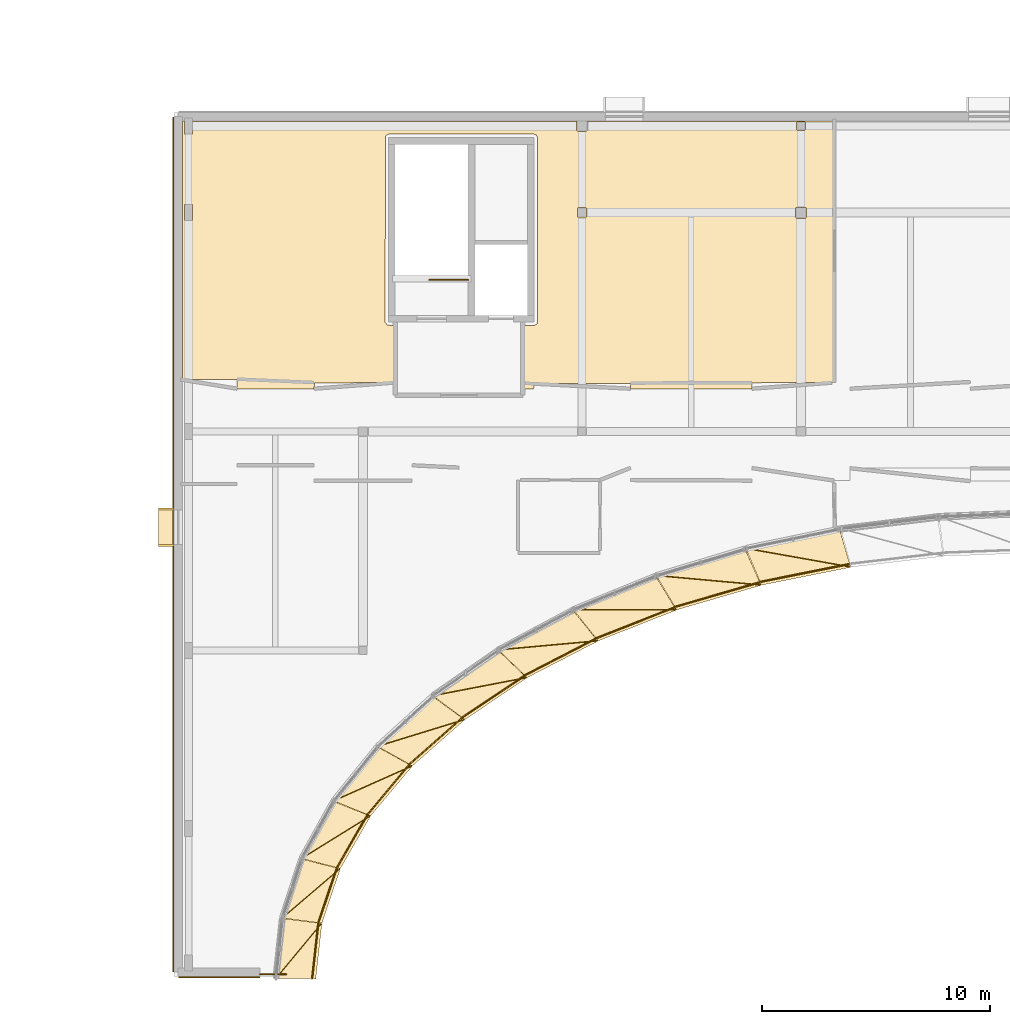
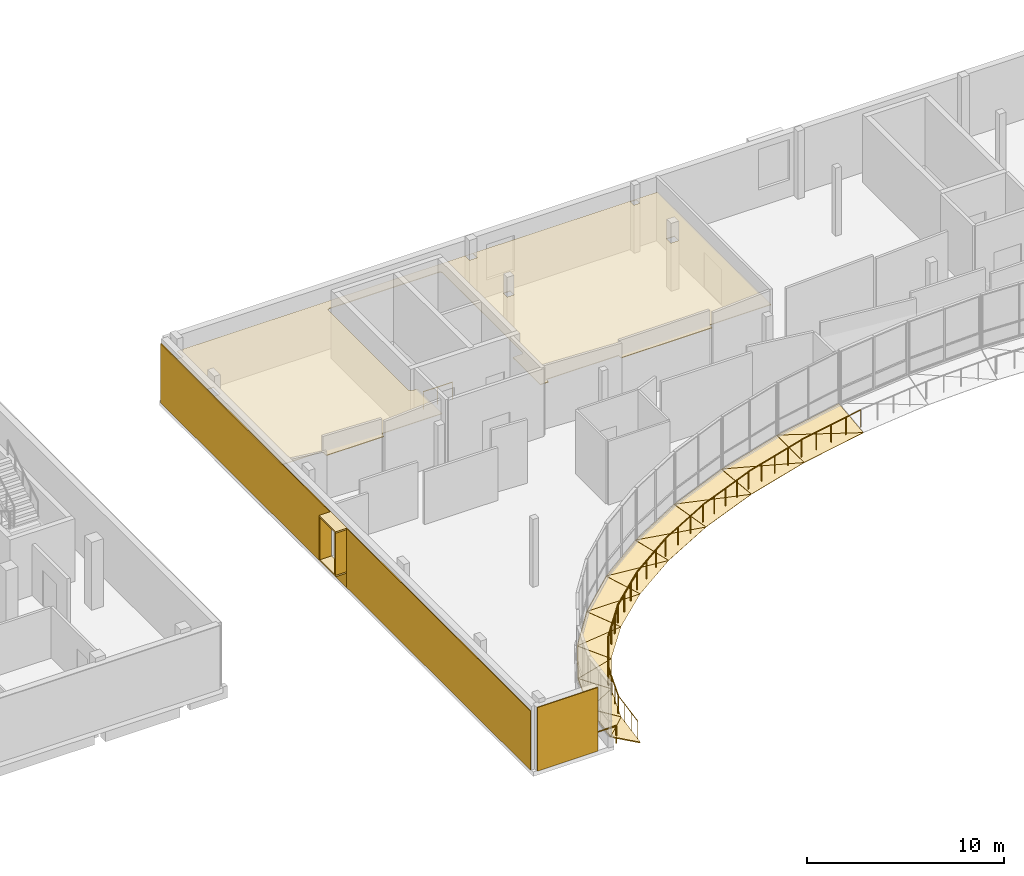
# One storey, part 15 of 18: 29 coverings, 12 railings.
"""IFC4 building model written with IfcOpenShell, lengths in metres."""

from ifc_helpers import new_model, si_unit, direction, frame, origin, origin_2d, place, context, subcontext, project, spatial, polyline, rectangle, circle, outline, extrude, material, layer, layer_set, type_object, element, save


model = new_model("IFC4")

# Units and contexts
model_context = context("Model", 3, precision=1e-05, world=origin(), true_north=direction((0.0, 1.0)))
body_context = subcontext(model_context, "Body", "Model", "MODEL_VIEW")
ifc_project = project(units=[si_unit("LENGTHUNIT", "METRE"), si_unit("AREAUNIT", "SQUARE_METRE"), si_unit("VOLUMEUNIT", "CUBIC_METRE"), si_unit("PLANEANGLEUNIT", "RADIAN"), si_unit("MASSUNIT", "GRAM", prefix="KILO")], contexts=[model_context])

# Site, building, storey
site_placement = place(None, origin())
site = spatial("IfcSite", under=ifc_project, at=site_placement, CompositionType="ELEMENT")
building_placement = place(site_placement, origin())
building = spatial("IfcBuilding", under=site, at=building_placement, Name="Mzevani Central Library", CompositionType="ELEMENT")
storey_placement = place(building_placement, frame((0.0, 0.0, 18.300048828125)))
storey = spatial("IfcBuildingStorey", under=building, at=storey_placement, Name="L04", CompositionType="ELEMENT", Elevation=18.300048828125)

# Railing
ifc_material_1 = material(Name="Brushed stainless steel rail", Category="steel")
railing_type_1 = type_object("IfcRailingType", Name="Interior Gallery and Stair Guard 1100", PredefinedType="BALUSTRADE", material=ifc_material_1)
railing_1_placement = place(storey_placement, frame((59.0, 106.64990234375, 0.0)))
element("IfcRailing", 1, at=railing_1_placement, inside=storey, type_object=railing_type_1, Name="L04 ST-05 top well guard 1", PredefinedType="BALUSTRADE", context=body_context, shape_type="SweptSolid", body=[
    extrude(circle(Radius=0.02392578125, at=origin_2d()), frame((0.0, 0.0, 1.076171875), z_axis=(-1.0, 0.0, 0.0), x_axis=(0.0, -1.0, 0.0)), (0.0, 0.0, 1.0), 1.699951171875),
    extrude(circle(Radius=0.02099609375, at=origin_2d()), origin(), (0.0, 0.0, 1.0), 1.052001953125),
    extrude(circle(Radius=0.02099609375, at=origin_2d()), frame((-0.85009765625, 0.0, 0.0)), (0.0, 0.0, 1.0), 1.052001953125),
    extrude(circle(Radius=0.02099609375, at=origin_2d()), frame((-1.699951171875, 0.0, 0.0)), (0.0, 0.0, 1.0), 1.052001953125),
])

# Coverings
ifc_material_2 = material(Name="Limestone ashlar cladding", Category="masonry")
ifc_layer_1 = layer(ifc_material_2, 0.050048828125, Name="Limestone Ashlar Spandrel Cladding")
ifc_layer_set_1 = layer_set([ifc_layer_1], Name="Limestone ashlar cladding")
covering_type_1 = type_object("IfcCoveringType", Name="Limestone Ashlar Spandrel Cladding", PredefinedType="CLADDING", material=ifc_layer_set_1)
covering_1_placement = place(storey_placement, frame((75.781494140625, 94.04736328125, -0.280029296875), z_axis=(0.096296898681, -0.481724860077, 0.871015537455), x_axis=(-0.980599490045, -0.196022039892, 0.0)))
element("IfcCovering", 2, at=covering_1_placement, inside=storey, type_object=covering_type_1, Name="L04 Curved Court Spandrel Apron 15A", PredefinedType="CLADDING", context=body_context, shape_type="SweptSolid", body=[
    extrude(outline(polyline([(0.0, 0.0), (3.991748599059052, -1.1102230246251565e-16), (4.347133020897631, -1.954097211478886), (0.0, 0.0)])), origin(), (0.0, 0.0, -1.0), 0.06005859375),
])
covering_2_placement = place(storey_placement, frame((75.781494140625, 94.04736328125, -0.280029296875), z_axis=(0.09818639566, -0.475108201237, 0.874432175086), x_axis=(-0.964394350476, 0.171395522212, 0.201412789402)))
element("IfcCovering", 3, at=covering_2_placement, inside=storey, type_object=covering_type_1, Name="L04 Curved Court Spandrel Apron 15B", PredefinedType="CLADDING", context=body_context, shape_type="SweptSolid", body=[
    extrude(outline(polyline([(0.0, 0.0), (4.7661369486501455, 1.1102230246251565e-16), (0.9459146277021949, -1.7433307945957077), (0.0, 0.0)])), origin(), (0.0, 0.0, -1.0), 0.06005859375),
])
covering_3_placement = place(storey_placement, frame((71.855712890625, 93.2568359375, -0.280029296875), z_axis=(0.138258261995, -0.476034795949, 0.868490371873), x_axis=(-0.960316723088, -0.278911798526, 0.0)))
element("IfcCovering", 4, at=covering_3_placement, inside=storey, type_object=covering_type_1, Name="L04 Curved Court Spandrel Apron 16A", PredefinedType="CLADDING", context=body_context, shape_type="SweptSolid", body=[
    extrude(outline(polyline([(0.0, 0.0), (3.8602173229667835, -1.1102230246251565e-16), (4.298403067026852, -1.9365528520961208), (0.0, 0.0)])), origin(), (0.0, 0.0, -1.0), 0.06005859375),
])
covering_4_placement = place(storey_placement, frame((71.855712890625, 93.2568359375, -0.280029296875), z_axis=(0.140095160111, -0.466710834079, 0.873243576253), x_axis=(-0.975060829459, 0.088293521389, 0.203618842288)))
element("IfcCovering", 5, at=covering_4_placement, inside=storey, type_object=covering_type_1, Name="L04 Curved Court Spandrel Apron 16B", PredefinedType="CLADDING", context=body_context, shape_type="SweptSolid", body=[
    extrude(outline(polyline([(0.0, 0.0), (4.714499536068221, 1.6653345369377348e-16), (1.019850415153701, -1.6993378120442315), (0.0, 0.0)])), origin(), (0.0, 0.0, -1.0), 0.06005859375),
])
covering_5_placement = place(storey_placement, frame((68.139892578125, 92.171630859375, -0.280029296875), z_axis=(0.183130838143, -0.465330831867, 0.865985169062), x_axis=(-0.930531980871, -0.366210639627, 0.0)))
element("IfcCovering", 6, at=covering_5_placement, inside=storey, type_object=covering_type_1, Name="L04 Curved Court Spandrel Apron 17A", PredefinedType="CLADDING", context=body_context, shape_type="SweptSolid", body=[
    extrude(outline(polyline([(0.0, 0.0), (3.693336337465024, 2.220446049250313e-16), (4.1987631947922885, -1.9196543438702114), (0.0, 0.0)])), origin(), (0.0, 0.0, -1.0), 0.06005859375),
])
covering_6_placement = place(storey_placement, frame((68.139892578125, 92.171630859375, -0.280029296875), z_axis=(0.184438640859, -0.453387391881, 0.872021938165), x_axis=(-0.978141955461, 0.002009482311, 0.20792853808)))
element("IfcCovering", 7, at=covering_6_placement, inside=storey, type_object=covering_type_1, Name="L04 Curved Court Spandrel Apron 17B", PredefinedType="CLADDING", context=body_context, shape_type="SweptSolid", body=[
    extrude(outline(polyline([(0.0, 0.0), (4.61678298882264, -5.551115123125783e-17), (1.087582156753629, -1.6560835770949505), (0.0, 0.0)])), origin(), (0.0, 0.0, -1.0), 0.06005859375),
])
covering_7_placement = place(storey_placement, frame((64.69677734375, 90.810791015625, -0.280029296875), z_axis=(0.231097284271, -0.447397312773, 0.863961625146), x_axis=(-0.888472868545, -0.458929146884, 0.0)))
element("IfcCovering", 8, at=covering_7_placement, inside=storey, type_object=covering_type_1, Name="L04 Curved Court Spandrel Apron 18A", PredefinedType="CLADDING", context=body_context, shape_type="SweptSolid", body=[
    extrude(outline(polyline([(0.0, 0.0), (3.497761299919376, 0.0), (4.051449963644521, -1.906357556205685), (0.0, 0.0)])), origin(), (0.0, 0.0, -1.0), 0.06005859375),
])
covering_8_placement = place(storey_placement, frame((64.69677734375, 90.810791015625, -0.280029296875), z_axis=(0.231375794407, -0.433331448593, 0.871027610023), x_axis=(-0.972735005924, -0.088440368812, 0.214394284938)))
element("IfcCovering", 9, at=covering_8_placement, inside=storey, type_object=covering_type_1, Name="L04 Curved Court Spandrel Apron 18B", PredefinedType="CLADDING", context=body_context, shape_type="SweptSolid", body=[
    extrude(outline(polyline([(0.0, 0.0), (4.477549099676932, 5.551115123125783e-17), (1.1472486497459, -1.6154531463469395), (0.0, 0.0)])), origin(), (0.0, 0.0, -1.0), 0.06005859375),
])
covering_9_placement = place(storey_placement, frame((61.584228515625, 89.197509765625, -0.280029296875), z_axis=(0.281763555659, -0.41954469412, 0.862897182947), x_axis=(-0.830157700772, -0.557528646662, 0.0)))
element("IfcCovering", 10, at=covering_9_placement, inside=storey, type_object=covering_type_1, Name="L04 Curved Court Spandrel Apron 19A", PredefinedType="CLADDING", context=body_context, shape_type="SweptSolid", body=[
    extrude(outline(polyline([(0.0, 0.0), (3.282920575621117, 0.0), (3.8610946428706754, -1.8994852655147587), (0.0, 0.0)])), origin(), (0.0, 0.0, -1.0), 0.06005859375),
])
covering_10_placement = place(storey_placement, frame((61.584228515625, 89.197509765625, -0.280029296875), z_axis=(0.280602302045, -0.404223090235, 0.870555019173), x_axis=(-0.957264394301, -0.184054391602, 0.223089355049)))
element("IfcCovering", 11, at=covering_10_placement, inside=storey, type_object=covering_type_1, Name="L04 Curved Court Spandrel Apron 19B", PredefinedType="CLADDING", context=body_context, shape_type="SweptSolid", body=[
    extrude(outline(polyline([(0.0, 0.0), (4.303033362072888, -5.551115123125783e-17), (1.1960204379575679, -1.5803699689459942), (0.0, 0.0)])), origin(), (0.0, 0.0, -1.0), 0.06005859375),
])
covering_11_placement = place(storey_placement, frame((58.855712890625, 87.35986328125, -0.280029296875), z_axis=(0.333888116076, -0.378785034723, 0.863157357272), x_axis=(-0.750165898803, -0.661249668638, 0.0)))
element("IfcCovering", 12, at=covering_11_placement, inside=storey, type_object=covering_type_1, Name="L04 Curved Court Spandrel Apron 20A", PredefinedType="CLADDING", context=body_context, shape_type="SweptSolid", body=[
    extrude(outline(polyline([(0.0, 0.0), (3.0614972808547956, 0.0), (3.635716634157509, -1.9011573675860212), (0.0, 0.0)])), origin(), (0.0, 0.0, -1.0), 0.06005859375),
])
covering_12_placement = place(storey_placement, frame((58.855712890625, 87.35986328125, -0.280029296875), z_axis=(0.331084196629, -0.363405721377, 0.870815443371), x_axis=(-0.929247116225, -0.285926766999, 0.233977949603)))
element("IfcCovering", 13, at=covering_12_placement, inside=storey, type_object=covering_type_1, Name="L04 Curved Court Spandrel Apron 20B", PredefinedType="CLADDING", context=body_context, shape_type="SweptSolid", body=[
    extrude(outline(polyline([(0.0, 0.0), (4.102783784239211, -5.551115123125783e-17), (1.232121220831849, -1.5535027192455246), (0.0, 0.0)])), origin(), (0.0, 0.0, -1.0), 0.06005859375),
])
covering_13_placement = place(storey_placement, frame((56.556884765625, 85.32861328125, -0.280029296875), z_axis=(0.384774109925, -0.322179484484, 0.86495622092), x_axis=(-0.641987053699, -0.766715477138, 0.0)))
element("IfcCovering", 14, at=covering_13_placement, inside=storey, type_object=covering_type_1, Name="L04 Curved Court Spandrel Apron 21A", PredefinedType="CLADDING", context=body_context, shape_type="SweptSolid", body=[
    extrude(outline(polyline([(0.0, 0.0), (2.8479844415707163, 2.220446049250313e-16), (3.3838066087287135, -1.9128545534741939), (0.0, 0.0)])), origin(), (0.0, 0.0, -1.0), 0.06005859375),
])
covering_14_placement = place(storey_placement, frame((56.556884765625, 85.32861328125, -0.280029296875), z_axis=(0.380494656299, -0.308211641382, 0.871911349074), x_axis=(-0.885226004395, -0.39418748429, 0.246963860457)))
element("IfcCovering", 15, at=covering_14_placement, inside=storey, type_object=covering_type_1, Name="L04 Curved Court Spandrel Apron 21B", PredefinedType="CLADDING", context=body_context, shape_type="SweptSolid", body=[
    extrude(outline(polyline([(0.0, 0.0), (3.887050257974943, 5.551115123125783e-17), (1.252181648599777, -1.5389821021450645), (0.0, 0.0)])), origin(), (0.0, 0.0, -1.0), 0.06005859375),
])
covering_15_placement = place(storey_placement, frame((54.72705078125, 83.13818359375, -0.280029296875), z_axis=(0.430168199169, -0.24797770685, 0.868022106475), x_axis=(-0.499425873278, -0.866356622357, 0.0)))
element("IfcCovering", 16, at=covering_15_placement, inside=storey, type_object=covering_type_1, Name="L04 Curved Court Spandrel Apron 22A", PredefinedType="CLADDING", context=body_context, shape_type="SweptSolid", body=[
    extrude(outline(polyline([(0.0, 0.0), (2.660770082163023, 0.0), (3.118697412584945, -1.9333565731100935), (0.0, 0.0)])), origin(), (0.0, 0.0, -1.0), 0.06005859375),
])
covering_16_placement = place(storey_placement, frame((54.72705078125, 83.13818359375, -0.280029296875), z_axis=(0.425166345885, -0.237064960095, 0.873518049626), x_axis=(-0.820710287482, -0.507928847559, 0.261615958685)))
element("IfcCovering", 17, at=covering_16_placement, inside=storey, type_object=covering_type_1, Name="L04 Curved Court Spandrel Apron 22B", PredefinedType="CLADDING", context=body_context, shape_type="SweptSolid", body=[
    extrude(outline(polyline([(0.0, 0.0), (3.669351603492371, 1.1102230246251565e-16), (1.251961038175432, -1.540568695775033), (0.0, 0.0)])), origin(), (0.0, 0.0, -1.0), 0.06005859375),
])
covering_17_placement = place(storey_placement, frame((53.397216796875, 80.826416015625, -0.280029296875), z_axis=(0.464473471758, -0.156866654112, 0.871583184131), x_axis=(-0.319974314627, -0.947426217697, 0.0)))
element("IfcCovering", 18, at=covering_17_placement, inside=storey, type_object=covering_type_1, Name="L04 Curved Court Spandrel Apron 23A", PredefinedType="CLADDING", context=body_context, shape_type="SweptSolid", body=[
    extrude(outline(polyline([(0.0, 0.0), (2.520191301339411, 0.0), (2.8589929392184836, -1.9581143282733606), (0.0, 0.0)])), origin(), (0.0, 0.0, -1.0), 0.06005859375),
])
covering_18_placement = place(storey_placement, frame((53.397216796875, 80.826416015625, -0.280029296875), z_axis=(0.460237846494, -0.150408206871, 0.874961996866), x_axis=(-0.730604801669, -0.624078817086, 0.27702392287)))
element("IfcCovering", 19, at=covering_18_placement, inside=storey, type_object=covering_type_1, Name="L04 Curved Court Spandrel Apron 23B", PredefinedType="CLADDING", context=body_context, shape_type="SweptSolid", body=[
    extrude(outline(polyline([(0.0, 0.0), (3.465263676704931, 0.0), (1.2278929777629195, -1.5607753839346528), (0.0, 0.0)])), origin(), (0.0, 0.0, -1.0), 0.06005859375),
])
covering_19_placement = place(storey_placement, frame((52.59033203125, 78.4326171875, -0.280029296875), z_axis=(0.482241757865, -0.053647033058, 0.874394008909), x_axis=(-0.110563069509, -0.993869109924, 0.0)))
element("IfcCovering", 20, at=covering_19_placement, inside=storey, type_object=covering_type_1, Name="L04 Curved Court Spandrel Apron 24A", PredefinedType="CLADDING", context=body_context, shape_type="SweptSolid", body=[
    extrude(outline(polyline([(0.0, 0.0), (2.4444298903316177, 0.0), (2.6314703873954484, -1.9784174782771289), (0.0, 0.0)])), origin(), (0.0, 0.0, -1.0), 0.06005859375),
])
covering_20_placement = place(storey_placement, frame((52.59033203125, 78.4326171875, -0.280029296875), z_axis=(0.480479175972, -0.051756224397, 0.875477615187), x_axis=(-0.610605725082, -0.736301219861, 0.291583885235)))
element("IfcCovering", 21, at=covering_20_placement, inside=storey, type_object=covering_type_1, Name="L04 Curved Court Spandrel Apron 24B", PredefinedType="CLADDING", context=body_context, shape_type="SweptSolid", body=[
    extrude(outline(polyline([(0.0, 0.0), (3.292229050064953, 5.551115123125783e-17), (1.1762095076298347, -1.6010097017669616), (0.0, 0.0)])), origin(), (0.0, 0.0, -1.0), 0.06005859375),
])
for number, where, z_axis, x_axis, name in (
    (22, (45.761962890625, 95.80029296875, 3.56005859375), (0.0, 0.0, 1.0), (0.0, 1.0, 0.0), "L04 Deep Window Reveal HD (REV4-0131)"),
    (23, (45.761962890625, 95.80029296875, 0.8701171875), (0.0, 0.0, 1.0), (0.0, 1.0, 0.0), "L04 Deep Window Reveal SL (REV4-0131)"),
):
    element("IfcCovering", number, at=place(storey_placement, frame(where, z_axis=z_axis, x_axis=x_axis)), inside=storey, type_object=covering_type_1, Name=name, PredefinedType="CLADDING", context=body_context, shape_type="SweptSolid", body=[
        extrude(rectangle(XDim=1.679931640625, YDim=0.679931640625, at=origin_2d()), origin(), (0.0, 0.0, 1.0), 0.090087890625),
    ])
for number, where, z_axis, x_axis, name in (
    (24, (45.761962890625, 95.00537109375, 0.9599609375), (0.0, 0.0, 1.0), (0.0, 1.0, 0.0), "L04 Deep Window Reveal JL (REV4-0131)"),
    (25, (45.761962890625, 96.595458984375, 0.9599609375), (0.0, 0.0, 1.0), (0.0, 1.0, 0.0), "L04 Deep Window Reveal JR (REV4-0131)"),
):
    element("IfcCovering", number, at=place(storey_placement, frame(where, z_axis=z_axis, x_axis=x_axis)), inside=storey, type_object=covering_type_1, Name=name, PredefinedType="CLADDING", context=body_context, shape_type="SweptSolid", body=[
        extrude(rectangle(XDim=0.090087890625, YDim=0.679931640625, at=origin_2d()), origin(), (0.0, 0.0, 1.0), 2.60009765625),
    ])
covering_21_placement = place(storey_placement, frame((46.075927734375, 85.6201171875, 0.0), z_axis=(0.0, 0.0, 1.0), x_axis=(0.0, 1.0, 0.0)))
element("IfcCovering", 26, at=covering_21_placement, inside=storey, type_object=covering_type_1, Name="L04 Warm-White Facade Pier 1 (EW4-V3-L04-0068)", PredefinedType="CLADDING", context=body_context, shape_type="SweptSolid", body=[
    extrude(rectangle(XDim=18.620361328125, YDim=0.050048828125, at=origin_2d()), origin(), (0.0, 0.0, 1.0), 3.659912109375),
])
covering_22_placement = place(storey_placement, frame((46.075927734375, 95.80029296875, 0.0), z_axis=(0.0, 0.0, 1.0), x_axis=(0.0, 1.0, 0.0)))
element("IfcCovering", 27, at=covering_22_placement, inside=storey, type_object=covering_type_1, Name="L04 Warm-White Sill Cladding 2 (EW4-V3-L04-0068)", PredefinedType="CLADDING", context=body_context, shape_type="SweptSolid", body=[
    extrude(rectangle(XDim=1.699951171875, YDim=0.050048828125, at=origin_2d()), origin(), (0.0, 0.0, 1.0), 0.860107421875),
])
covering_23_placement = place(storey_placement, frame((46.075927734375, 105.230224609375, 0.0), z_axis=(0.0, 0.0, 1.0), x_axis=(0.0, 1.0, 0.0)))
element("IfcCovering", 28, at=covering_23_placement, inside=storey, type_object=covering_type_1, Name="L04 Warm-White Facade Pier 3 (EW4-V3-L04-0068)", PredefinedType="CLADDING", context=body_context, shape_type="SweptSolid", body=[
    extrude(rectangle(XDim=17.11962890625, YDim=0.050048828125, at=origin_2d()), origin(), (0.0, 0.0, 1.0), 3.659912109375),
])
covering_24_placement = place(storey_placement, frame((48.0830078125, 76.075927734375, 0.0), z_axis=(0.0, 0.0, 1.0), x_axis=(-1.0, 0.0, 0.0)))
element("IfcCovering", 29, at=covering_24_placement, inside=storey, type_object=covering_type_1, Name="L04 Warm-White Facade Cladding (EW4-V3-L04-0071)", PredefinedType="CLADDING", context=body_context, shape_type="SweptSolid", body=[
    extrude(rectangle(XDim=3.545654296875, YDim=0.050048828125, at=origin_2d()), origin(), (0.0, 0.0, 1.0), 3.93994140625),
])
ifc_material_3 = material(Name="Mineral wool acoustic ceiling")
ifc_layer_2 = layer(ifc_material_3, 0.0400390625, Name="Perforated Timber Acoustic Ceiling")
ifc_layer_set_2 = layer_set([ifc_layer_2], Name="Mineral wool acoustic ceiling")
covering_type_2 = type_object("IfcCoveringType", Name="Perforated Timber Acoustic Ceiling", PredefinedType="CEILING", material=ifc_layer_set_2)
covering_25_placement = place(storey_placement, frame((0.0, 0.0, 2.949951171875)))
element("IfcCovering", 30, at=covering_25_placement, inside=storey, type_object=covering_type_2, Name="L04 North-Light Sawtooth Reading Salon Acoustic Ceiling", PredefinedType="CEILING", context=body_context, shape_type="SweptSolid", body=[
    extrude(outline(polyline([(71.456298828125, 101.872314453125), (66.125, 101.8701171875), (66.114990234375, 102.114990234375), (61.885009765625, 102.114990234375), (61.879638671875, 101.87109375), (61.392333984375, 101.873779296875), (61.39013671875, 104.65185546875), (61.926513671875, 104.662841796875), (62.0078125, 104.71142578125), (62.0400390625, 104.8017578125), (62.0400390625, 112.89794921875), (61.998291015625, 112.998291015625), (61.89794921875, 113.0400390625), (55.502685546875, 113.0400390625), (55.377685546875, 112.965087890625), (55.360107421875, 104.80322265625), (55.461669921875, 104.66650390625), (55.809814453125, 104.65185546875), (55.8056640625, 102.1416015625), (52.260009765625, 102.139892578125), (52.2509765625, 101.8701171875), (48.875, 101.8701171875), (48.864990234375, 102.2900390625), (46.476318359375, 102.290771484375), (46.470703125, 113.623779296875), (46.574951171875, 113.6298828125), (46.574951171875, 113.050048828125), (46.925048828125, 113.050048828125), (46.925048828125, 113.6298828125), (75.0537109375, 113.629150390625), (75.0595703125, 102.147216796875), (71.4599609375, 102.139892578125), (71.456298828125, 101.872314453125)]), holes=[polyline([(46.574951171875, 109.949951171875), (46.574951171875, 109.25), (46.925048828125, 109.25), (46.925048828125, 109.949951171875), (46.574951171875, 109.949951171875)]), polyline([(64.199951171875, 109.39990234375), (64.199951171875, 109.800048828125), (63.800048828125, 109.800048828125), (63.800048828125, 109.39990234375), (64.199951171875, 109.39990234375)]), polyline([(63.77490234375, 113.175048828125), (64.22509765625, 113.175048828125), (64.22509765625, 113.625), (63.77490234375, 113.625), (63.77490234375, 113.175048828125)]), polyline([(73.375, 109.824951171875), (73.375, 109.375), (73.824951171875, 109.375), (73.824951171875, 109.824951171875), (73.375, 109.824951171875)]), polyline([(73.77490234375, 113.574951171875), (73.425048828125, 113.574951171875), (73.425048828125, 113.22509765625), (73.77490234375, 113.22509765625), (73.77490234375, 113.574951171875)])]), origin(), (0.0, 0.0, 1.0), 0.0400390625),
])

# Railings
ifc_material_4 = material(Name="Anodized architectural bronze")
railing_type_2 = type_object("IfcRailingType", Name="Terrace and Court Balustrade 1100", PredefinedType="BALUSTRADE", material=ifc_material_4)
railing_2_placement = place(storey_placement, frame((75.701416015625, 94.18603515625, 0.0)))
element("IfcRailing", 31, at=railing_2_placement, inside=storey, type_object=railing_type_2, Name="L04 Elliptical Court Terrace Guard 15", PredefinedType="BALUSTRADE", context=body_context, shape_type="SweptSolid", body=[
    extrude(circle(Radius=0.02392578125, at=origin_2d()), frame((0.0, 0.0, 1.076171875), z_axis=(-0.980597139732, -0.196033796959, 0.0), x_axis=(0.196033796959, -0.980597139732, 0.0)), (0.0, 0.0, 1.0), 3.991455078125),
    extrude(circle(Radius=0.02099609375, at=origin_2d()), origin(), (0.0, 0.0, 1.0), 1.052001953125),
    extrude(circle(Radius=0.02099609375, at=origin_2d()), frame((-0.978515625, -0.195556640625, 0.0)), (0.0, 0.0, 1.0), 1.052001953125),
    extrude(circle(Radius=0.02099609375, at=origin_2d()), frame((-1.95703125, -0.39111328125, 0.0)), (0.0, 0.0, 1.0), 1.052001953125),
    extrude(circle(Radius=0.02099609375, at=origin_2d()), frame((-2.935546875, -0.5869140625, 0.0)), (0.0, 0.0, 1.0), 1.052001953125),
    extrude(circle(Radius=0.02099609375, at=origin_2d()), frame((-3.9140625, -0.782470703125, 0.0)), (0.0, 0.0, 1.0), 1.052001953125),
])
railing_3_placement = place(storey_placement, frame((71.753173828125, 93.37939453125, 0.0)))
element("IfcRailing", 32, at=railing_3_placement, inside=storey, type_object=railing_type_2, Name="L04 Elliptical Court Terrace Guard 16", PredefinedType="BALUSTRADE", context=body_context, shape_type="SweptSolid", body=[
    extrude(circle(Radius=0.02392578125, at=origin_2d()), frame((0.0, 0.0, 1.076171875), z_axis=(-0.960321642606, -0.278894859657, 0.0), x_axis=(0.278894859657, -0.960321642606, 0.0)), (0.0, 0.0, 1.0), 3.8603515625),
    extrude(circle(Radius=0.02099609375, at=origin_2d()), origin(), (0.0, 0.0, 1.0), 1.052001953125),
    extrude(circle(Radius=0.02099609375, at=origin_2d()), frame((-0.9267578125, -0.26904296875, 0.0)), (0.0, 0.0, 1.0), 1.052001953125),
    extrude(circle(Radius=0.02099609375, at=origin_2d()), frame((-1.853515625, -0.538330078125, 0.0)), (0.0, 0.0, 1.0), 1.052001953125),
    extrude(circle(Radius=0.02099609375, at=origin_2d()), frame((-2.780517578125, -0.8076171875, 0.0)), (0.0, 0.0, 1.0), 1.052001953125),
    extrude(circle(Radius=0.02099609375, at=origin_2d()), frame((-3.707275390625, -1.07666015625, 0.0)), (0.0, 0.0, 1.0), 1.052001953125),
])
railing_4_placement = place(storey_placement, frame((68.02001953125, 92.27734375, 0.0)))
element("IfcRailing", 33, at=railing_4_placement, inside=storey, type_object=railing_type_2, Name="L04 Elliptical Court Terrace Guard 17", PredefinedType="BALUSTRADE", context=body_context, shape_type="SweptSolid", body=[
    extrude(circle(Radius=0.02392578125, at=origin_2d()), frame((0.0, 0.0, 1.076171875), z_axis=(-0.930540845143, -0.366188114937, 0.0), x_axis=(0.366188114937, -0.930540845143, 0.0)), (0.0, 0.0, 1.0), 3.693603515625),
    extrude(circle(Radius=0.02099609375, at=origin_2d()), origin(), (0.0, 0.0, 1.0), 1.052001953125),
    extrude(circle(Radius=0.02099609375, at=origin_2d()), frame((-0.859375, -0.338134765625, 0.0)), (0.0, 0.0, 1.0), 1.052001953125),
    extrude(circle(Radius=0.02099609375, at=origin_2d()), frame((-1.718505859375, -0.67626953125, 0.0)), (0.0, 0.0, 1.0), 1.052001953125),
    extrude(circle(Radius=0.02099609375, at=origin_2d()), frame((-2.57763671875, -1.014404296875, 0.0)), (0.0, 0.0, 1.0), 1.052001953125),
    extrude(circle(Radius=0.02099609375, at=origin_2d()), frame((-3.43701171875, -1.3525390625, 0.0)), (0.0, 0.0, 1.0), 1.052001953125),
])
railing_5_placement = place(storey_placement, frame((64.56396484375, 90.89990234375, 0.0)))
element("IfcRailing", 34, at=railing_5_placement, inside=storey, type_object=railing_type_2, Name="L04 Elliptical Court Terrace Guard 18", PredefinedType="BALUSTRADE", context=body_context, shape_type="SweptSolid", body=[
    extrude(circle(Radius=0.02392578125, at=origin_2d()), frame((0.0, 0.0, 1.076171875), z_axis=(-0.888472868545, -0.458929146884, 0.0), x_axis=(0.458929146884, -0.888472868545, 0.0)), (0.0, 0.0, 1.0), 3.497802734375),
    extrude(circle(Radius=0.02099609375, at=origin_2d()), origin(), (0.0, 0.0, 1.0), 1.052001953125),
    extrude(circle(Radius=0.02099609375, at=origin_2d()), frame((-1.035888671875, -0.53515625, 0.0)), (0.0, 0.0, 1.0), 1.052001953125),
    extrude(circle(Radius=0.02099609375, at=origin_2d()), frame((-2.07177734375, -1.070068359375, 0.0)), (0.0, 0.0, 1.0), 1.052001953125),
    extrude(circle(Radius=0.02099609375, at=origin_2d()), frame((-3.107666015625, -1.605224609375, 0.0)), (0.0, 0.0, 1.0), 1.052001953125),
])
railing_6_placement = place(storey_placement, frame((61.442138671875, 89.27099609375, 0.0)))
element("IfcRailing", 35, at=railing_6_placement, inside=storey, type_object=railing_type_2, Name="L04 Elliptical Court Terrace Guard 19", PredefinedType="BALUSTRADE", context=body_context, shape_type="SweptSolid", body=[
    extrude(circle(Radius=0.02392578125, at=origin_2d()), frame((0.0, 0.0, 1.076171875), z_axis=(-0.830157700772, -0.557528646662, 0.0), x_axis=(0.557528646662, -0.830157700772, 0.0)), (0.0, 0.0, 1.0), 3.282958984375),
    extrude(circle(Radius=0.02099609375, at=origin_2d()), origin(), (0.0, 0.0, 1.0), 1.052001953125),
    extrude(circle(Radius=0.02099609375, at=origin_2d()), frame((-0.908447265625, -0.610107421875, 0.0)), (0.0, 0.0, 1.0), 1.052001953125),
    extrude(circle(Radius=0.02099609375, at=origin_2d()), frame((-1.81689453125, -1.22021484375, 0.0)), (0.0, 0.0, 1.0), 1.052001953125),
    extrude(circle(Radius=0.02099609375, at=origin_2d()), frame((-2.725341796875, -1.830322265625, 0.0)), (0.0, 0.0, 1.0), 1.052001953125),
])
railing_7_placement = place(storey_placement, frame((58.706787109375, 87.418212890625, 0.0)))
element("IfcRailing", 36, at=railing_7_placement, inside=storey, type_object=railing_type_2, Name="L04 Elliptical Court Terrace Guard 20", PredefinedType="BALUSTRADE", context=body_context, shape_type="SweptSolid", body=[
    extrude(circle(Radius=0.02392578125, at=origin_2d()), frame((0.0, 0.0, 1.076171875), z_axis=(-0.750170588014, -0.661244348844, 0.0), x_axis=(0.661244348844, -0.750170588014, 0.0)), (0.0, 0.0, 1.0), 3.06103515625),
    extrude(circle(Radius=0.02099609375, at=origin_2d()), origin(), (0.0, 0.0, 1.0), 1.052001953125),
    extrude(circle(Radius=0.02099609375, at=origin_2d()), frame((-0.765380859375, -0.6748046875, 0.0)), (0.0, 0.0, 1.0), 1.052001953125),
    extrude(circle(Radius=0.02099609375, at=origin_2d()), frame((-1.531005859375, -1.349365234375, 0.0)), (0.0, 0.0, 1.0), 1.052001953125),
    extrude(circle(Radius=0.02099609375, at=origin_2d()), frame((-2.29638671875, -2.024169921875, 0.0)), (0.0, 0.0, 1.0), 1.052001953125),
])
railing_8_placement = place(storey_placement, frame((56.403076171875, 85.373046875, 0.0)))
element("IfcRailing", 37, at=railing_8_placement, inside=storey, type_object=railing_type_2, Name="L04 Elliptical Court Terrace Guard 21", PredefinedType="BALUSTRADE", context=body_context, shape_type="SweptSolid", body=[
    extrude(circle(Radius=0.02392578125, at=origin_2d()), frame((0.0, 0.0, 1.076171875), z_axis=(-0.641978854782, -0.76672234219, 0.0), x_axis=(0.76672234219, -0.641978854782, 0.0)), (0.0, 0.0, 1.0), 2.84765625),
    extrude(circle(Radius=0.02099609375, at=origin_2d()), origin(), (0.0, 0.0, 1.0), 1.052001953125),
    extrude(circle(Radius=0.02099609375, at=origin_2d()), frame((-0.609375, -0.727783203125, 0.0)), (0.0, 0.0, 1.0), 1.052001953125),
    extrude(circle(Radius=0.02099609375, at=origin_2d()), frame((-1.21875, -1.45556640625, 0.0)), (0.0, 0.0, 1.0), 1.052001953125),
    extrude(circle(Radius=0.02099609375, at=origin_2d()), frame((-1.828125, -2.183349609375, 0.0)), (0.0, 0.0, 1.0), 1.052001953125),
])
railing_9_placement = place(storey_placement, frame((54.570068359375, 83.169677734375, 0.0)))
element("IfcRailing", 38, at=railing_9_placement, inside=storey, type_object=railing_type_2, Name="L04 Elliptical Court Terrace Guard 22", PredefinedType="BALUSTRADE", context=body_context, shape_type="SweptSolid", body=[
    extrude(circle(Radius=0.02392578125, at=origin_2d()), frame((0.0, 0.0, 1.076171875), z_axis=(-0.499317302735, -0.866419200612, 0.0), x_axis=(0.866419200612, -0.499317302735, 0.0)), (0.0, 0.0, 1.0), 2.660888671875),
    extrude(circle(Radius=0.02099609375, at=origin_2d()), origin(), (0.0, 0.0, 1.0), 1.052001953125),
    extrude(circle(Radius=0.02099609375, at=origin_2d()), frame((-0.44287109375, -0.7685546875, 0.0)), (0.0, 0.0, 1.0), 1.052001953125),
    extrude(circle(Radius=0.02099609375, at=origin_2d()), frame((-0.8857421875, -1.536865234375, 0.0)), (0.0, 0.0, 1.0), 1.052001953125),
    extrude(circle(Radius=0.02099609375, at=origin_2d()), frame((-1.32861328125, -2.305419921875, 0.0)), (0.0, 0.0, 1.0), 1.052001953125),
])
railing_10_placement = place(storey_placement, frame((53.23828125, 80.84521484375, 0.0)))
element("IfcRailing", 39, at=railing_10_placement, inside=storey, type_object=railing_type_2, Name="L04 Elliptical Court Terrace Guard 23", PredefinedType="BALUSTRADE", context=body_context, shape_type="SweptSolid", body=[
    extrude(circle(Radius=0.02392578125, at=origin_2d()), frame((0.0, 0.0, 1.076171875), z_axis=(-0.319944949663, -0.947436134621, 0.0), x_axis=(0.947436134621, -0.319944949663, 0.0)), (0.0, 0.0, 1.0), 2.5205078125),
    extrude(circle(Radius=0.02099609375, at=origin_2d()), origin(), (0.0, 0.0, 1.0), 1.052001953125),
    extrude(circle(Radius=0.02099609375, at=origin_2d()), frame((-0.268798828125, -0.7958984375, 0.0)), (0.0, 0.0, 1.0), 1.052001953125),
    extrude(circle(Radius=0.02099609375, at=origin_2d()), frame((-0.53759765625, -1.592041015625, 0.0)), (0.0, 0.0, 1.0), 1.052001953125),
    extrude(circle(Radius=0.02099609375, at=origin_2d()), frame((-0.806396484375, -2.387939453125, 0.0)), (0.0, 0.0, 1.0), 1.052001953125),
])
railing_11_placement = place(storey_placement, frame((52.430419921875, 78.438720703125, 0.0)))
element("IfcRailing", 40, at=railing_11_placement, inside=storey, type_object=railing_type_2, Name="L04 Elliptical Court Terrace Guard 24", PredefinedType="BALUSTRADE", context=body_context, shape_type="SweptSolid", body=[
    extrude(circle(Radius=0.02392578125, at=origin_2d()), frame((0.0, 0.0, 1.076171875), z_axis=(-0.110563069509, -0.993869109924, 0.0), x_axis=(0.993869109924, -0.110563069509, 0.0)), (0.0, 0.0, 1.0), 2.4443359375),
    extrude(circle(Radius=0.02099609375, at=origin_2d()), origin(), (0.0, 0.0, 1.0), 1.052001953125),
    extrude(circle(Radius=0.02099609375, at=origin_2d()), frame((-0.090087890625, -0.809814453125, 0.0)), (0.0, 0.0, 1.0), 1.052001953125),
    extrude(circle(Radius=0.02099609375, at=origin_2d()), frame((-0.18017578125, -1.61962890625, 0.0)), (0.0, 0.0, 1.0), 1.052001953125),
    extrude(circle(Radius=0.02099609375, at=origin_2d()), frame((-0.270263671875, -2.429443359375, 0.0)), (0.0, 0.0, 1.0), 1.052001953125),
])
railing_12_placement = place(storey_placement, frame((49.8701171875, 76.199951171875, 0.0)))
element("IfcRailing", 41, at=railing_12_placement, inside=storey, type_object=railing_type_2, Name="L04 Elliptical Court South-West Return Guard", PredefinedType="BALUSTRADE", context=body_context, shape_type="SweptSolid", body=[
    extrude(circle(Radius=0.02392578125, at=origin_2d()), frame((0.0, 0.0, 1.076171875), z_axis=(1.0, 0.0, 0.0), x_axis=(0.0, 1.0, 0.0)), (0.0, 0.0, 1.0), 1.14990234375),
    extrude(circle(Radius=0.02099609375, at=origin_2d()), origin(), (0.0, 0.0, 1.0), 1.052001953125),
    extrude(circle(Radius=0.02099609375, at=origin_2d()), frame((1.14990234375, 0.0, 0.0)), (0.0, 0.0, 1.0), 1.052001953125),
])

save(model, "model.ifc")
